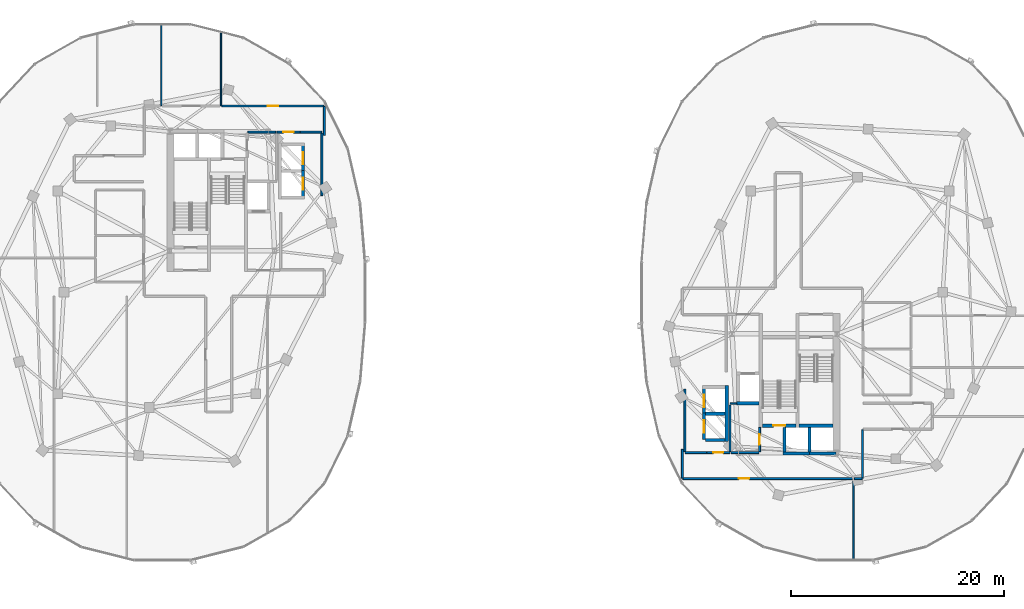
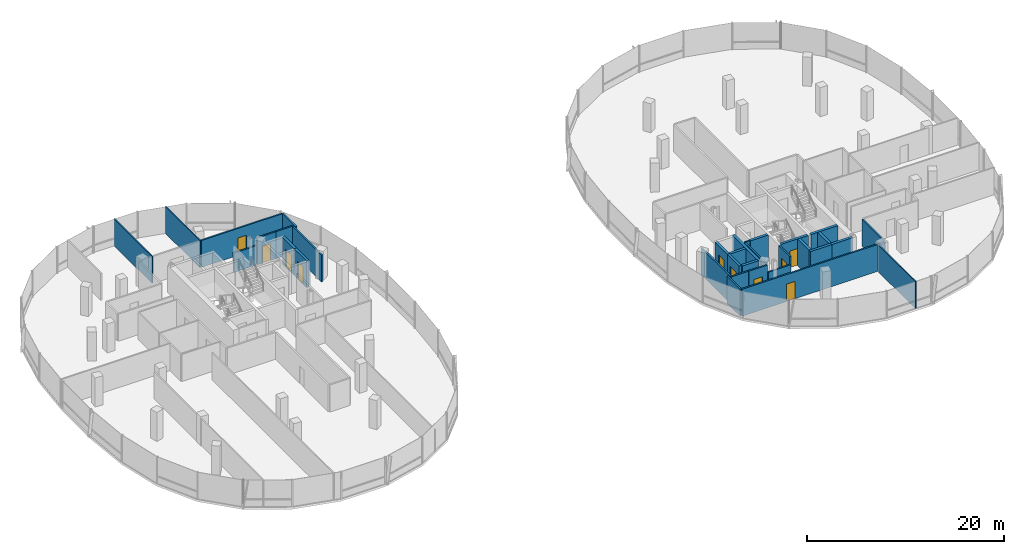
# One storey, part 16 of 25: 34 walls, 10 doors, 10 openings.
"""IFC4 building model written with IfcOpenShell, lengths in metres."""

from ifc_helpers import new_model, si_unit, direction, frame, frame_2d, origin, place, context, subcontext, project, spatial, rectangle, extrude, material, layer, layer_set, type_object, element, fill, save


model = new_model("IFC4")

# Units and contexts
model_context = context("Model", 3, precision=1e-05, world=origin(), true_north=direction((0.0, 1.0)))
body_context = subcontext(model_context, "Body", "Model", "MODEL_VIEW")
ifc_project = project(units=[si_unit("LENGTHUNIT", "METRE"), si_unit("AREAUNIT", "SQUARE_METRE"), si_unit("VOLUMEUNIT", "CUBIC_METRE"), si_unit("PLANEANGLEUNIT", "RADIAN"), si_unit("MASSUNIT", "GRAM", prefix="KILO"), si_unit("THERMODYNAMICTEMPERATUREUNIT", "KELVIN"), si_unit("POWERUNIT", "WATT")], contexts=[model_context])

# Site, building, storey
site_placement = place(None, origin())
site = spatial("IfcSite", under=ifc_project, at=site_placement, CompositionType="ELEMENT")
building_placement = place(site_placement, origin())
building = spatial("IfcBuilding", under=site, at=building_placement, Name="Cundina Bronze Exchange", CompositionType="ELEMENT")
storey_placement = place(building_placement, frame((0.0, 0.0, 195.39990234375)))
storey = spatial("IfcBuildingStorey", under=building, at=storey_placement, Name="L51", CompositionType="ELEMENT", Elevation=195.39990234375)

# Wall
ifc_material_1 = material(Name="Gypsum Fireboard Partition EI120")
ifc_layer_1 = layer(ifc_material_1, 0.179931640625, Name="Gypsum Fireboard Partition EI120")
ifc_layer_set_1 = layer_set([ifc_layer_1], Name="Gypsum Fireboard Partition EI120")
wall_type_1 = type_object("IfcWallType", Name="WL-COR-180", PredefinedType="PARTITIONING", material=ifc_layer_set_1)
wall_1_placement = place(storey_placement, frame((-17.02001953125, 9.070068359375, 0.0), z_axis=(0.0, 0.0, 1.0), x_axis=(0.0, 1.0, 0.0)))
element("IfcWall", 1, at=wall_1_placement, inside=storey, type_object=wall_type_1, Name="L51 Interior Partition 001", PredefinedType="PARTITIONING", context=body_context, shape_type="SweptSolid", body=[
    extrude(rectangle(XDim=5.85986328125, YDim=0.179931640625, at=frame_2d((2.929931640625, 0.0))), origin(), (0.0, 0.0, 1.0), 3.340087890625),
])

# Wall, opening, door
wall_2_placement = place(storey_placement, frame((-21.22998046875, 15.030029296875, 0.0), z_axis=(0.0, 0.0, 1.0), x_axis=(1.0, 0.0, 0.0)))
wall_2 = element("IfcWall", 2, at=wall_2_placement, inside=storey, type_object=wall_type_1, Name="L51 Interior Partition 002", PredefinedType="PARTITIONING", context=body_context, shape_type="SweptSolid", body=[
    extrude(rectangle(XDim=2.159912109375, YDim=0.179931640625, at=frame_2d((1.080078125, 0.0))), origin(), (0.0, 0.0, 1.0), 3.340087890625),
])
opening_1_placement = place(wall_2_placement, frame((0.60498046875, 0.0, 0.0)))
opening_1 = element("IfcOpeningElement", 3, at=opening_1_placement, cuts=wall_2, Name="Opening DW-01", PredefinedType="OPENING", context=body_context, shape_type="SweptSolid", body=[
    extrude(rectangle(XDim=0.949951171875, YDim=2.10009765625, at=frame_2d((0.47509765625, 1.050048828125))), frame((0.0, 0.099853515625, 0.0), z_axis=(0.0, -1.0, 0.0), x_axis=(1.0, 0.0, 0.0)), (0.0, 0.0, 1.0), 0.199951171875),
])
ifc_material_2 = material(Name="Solid Andean Oak Timber Grade A", Category="wood")
door_type_1 = type_object("IfcDoorType", Name="DR-WC-950", OperationType="NOTDEFINED", PredefinedType="DOOR", material=ifc_material_2)
door_1_placement = place(opening_1_placement, origin())
door_1 = element("IfcDoor", 4, at=door_1_placement, inside=storey, type_object=door_type_1, Name="L51 Interior Door 002", OperationType="SINGLE_SWING_LEFT", OverallHeight=2.10009765625, OverallWidth=0.949951171875, PredefinedType="DOOR", context=body_context, shape_type="SweptSolid", body=[
    extrude(rectangle(XDim=0.949951171875, YDim=2.10009765625, at=frame_2d((0.47509765625, 1.050048828125))), frame((0.0, 0.02490234375, 0.0), z_axis=(0.0, -1.0, 0.0), x_axis=(1.0, 0.0, 0.0)), (0.0, 0.0, 1.0), 0.050048828125),
])
fill(opening_1, door_1)

# Walls
wall_3_placement = place(storey_placement, frame((-19.030029296875, 15.030029296875, 0.0), z_axis=(0.0, 0.0, 1.0), x_axis=(1.0, 0.0, 0.0)))
element("IfcWall", 5, at=wall_3_placement, inside=storey, type_object=wall_type_1, Name="L51 Interior Partition 003", PredefinedType="PARTITIONING", context=body_context, shape_type="SweptSolid", body=[
    extrude(rectangle(XDim=1.989990234375, YDim=0.179931640625, at=frame_2d((0.9951171875, 0.0))), origin(), (0.0, 0.0, 1.0), 3.340087890625),
])
wall_4_placement = place(storey_placement, frame((-23.9599609375, 15.030029296875, 0.0), z_axis=(0.0, 0.0, 1.0), x_axis=(1.0, 0.0, 0.0)))
element("IfcWall", 6, at=wall_4_placement, inside=storey, type_object=wall_type_1, Name="L51 Interior Partition 006", PredefinedType="PARTITIONING", context=body_context, shape_type="SweptSolid", body=[
    extrude(rectangle(XDim=2.60986328125, YDim=0.179931640625, at=frame_2d((1.304931640625, 0.0))), origin(), (0.0, 0.0, 1.0), 2.4130859375),
])

# Wall, opening, door
wall_5_placement = place(storey_placement, frame((-16.821533203125, 17.469970703125, 0.0), z_axis=(0.0, 0.0, 1.0), x_axis=(-1.0, 0.0, 0.0)))
wall_5 = element("IfcWall", 7, at=wall_5_placement, inside=storey, type_object=wall_type_1, Name="L51 Interior Partition 029", PredefinedType="PARTITIONING", context=body_context, shape_type="SweptSolid", body=[
    extrude(rectangle(XDim=9.568359375, YDim=0.179931640625, at=frame_2d((4.7841796875, 0.0))), origin(), (0.0, 0.0, 1.0), 3.340087890625),
])
opening_2_placement = place(wall_5_placement, frame((4.2841796875, 0.0, 0.0)))
opening_2 = element("IfcOpeningElement", 8, at=opening_2_placement, cuts=wall_5, Name="Opening DO-01", PredefinedType="OPENING", context=body_context, shape_type="SweptSolid", body=[
    extrude(rectangle(XDim=1.0, YDim=2.14990234375, at=frame_2d((0.5, 1.074951171875))), frame((0.0, 0.099853515625, 0.0), z_axis=(0.0, -1.0, 0.0), x_axis=(1.0, 0.0, 0.0)), (0.0, 0.0, 1.0), 0.199951171875),
])
door_type_2 = type_object("IfcDoorType", Name="DR-OFF-1000", OperationType="NOTDEFINED", PredefinedType="DOOR", material=ifc_material_2)
door_2_placement = place(opening_2_placement, origin())
door_2 = element("IfcDoor", 9, at=door_2_placement, inside=storey, type_object=door_type_2, Name="L51 Interior Door 029", OperationType="SINGLE_SWING_RIGHT", OverallHeight=2.14990234375, OverallWidth=1.0, PredefinedType="DOOR", context=body_context, shape_type="SweptSolid", body=[
    extrude(rectangle(XDim=1.0, YDim=2.14990234375, at=frame_2d((0.5, 1.074951171875))), frame((0.0, 0.02490234375, 0.0), z_axis=(0.0, -1.0, 0.0), x_axis=(1.0, 0.0, 0.0)), (0.0, 0.0, 1.0), 0.050048828125),
])
fill(opening_2, door_2)

# Walls
wall_6_placement = place(storey_placement, frame((-16.780029296875, 14.721435546875, 0.0), z_axis=(0.0, 0.0, 1.0), x_axis=(0.0, 1.0, 0.0)))
element("IfcWall", 10, at=wall_6_placement, inside=storey, type_object=wall_type_1, Name="L51 Interior Partition 032", PredefinedType="PARTITIONING", context=body_context, shape_type="SweptSolid", body=[
    extrude(rectangle(XDim=2.70703125, YDim=0.179931640625, at=frame_2d((1.353515625, 0.0))), origin(), (0.0, 0.0, 1.0), 3.340087890625),
])
wall_7_placement = place(storey_placement, frame((17.02001953125, -14.929931640625, 0.0), z_axis=(0.0, 0.0, 1.0), x_axis=(0.0, 1.0, 0.0)))
element("IfcWall", 11, at=wall_7_placement, inside=storey, type_object=wall_type_1, Name="L51 Interior Partition 040", PredefinedType="PARTITIONING", context=body_context, shape_type="SweptSolid", body=[
    extrude(rectangle(XDim=5.85986328125, YDim=0.179931640625, at=frame_2d((2.929931640625, 0.0))), origin(), (0.0, 0.0, 1.0), 3.340087890625),
])
wall_8_placement = place(storey_placement, frame((17.0400390625, -15.030029296875, 0.0), z_axis=(0.0, 0.0, 1.0), x_axis=(1.0, 0.0, 0.0)))
element("IfcWall", 12, at=wall_8_placement, inside=storey, type_object=wall_type_1, Name="L51 Interior Partition 041", PredefinedType="PARTITIONING", context=body_context, shape_type="SweptSolid", body=[
    extrude(rectangle(XDim=1.989990234375, YDim=0.179931640625, at=frame_2d((0.9951171875, 0.0))), origin(), (0.0, 0.0, 1.0), 3.340087890625),
])

# Wall, opening, door
wall_9_placement = place(storey_placement, frame((21.22998046875, -15.030029296875, 0.0), z_axis=(0.0, 0.0, 1.0), x_axis=(-1.0, 0.0, 0.0)))
wall_9 = element("IfcWall", 13, at=wall_9_placement, inside=storey, type_object=wall_type_1, Name="L51 Interior Partition 042", PredefinedType="PARTITIONING", context=body_context, shape_type="SweptSolid", body=[
    extrude(rectangle(XDim=2.159912109375, YDim=0.179931640625, at=frame_2d((1.080078125, 0.0))), origin(), (0.0, 0.0, 1.0), 3.340087890625),
])
opening_3_placement = place(wall_9_placement, frame((0.60498046875, 0.0, 0.0)))
opening_3 = element("IfcOpeningElement", 14, at=opening_3_placement, cuts=wall_9, Name="Opening DW-01", PredefinedType="OPENING", context=body_context, shape_type="SweptSolid", body=[
    extrude(rectangle(XDim=0.949951171875, YDim=2.10009765625, at=frame_2d((0.47509765625, 1.050048828125))), frame((0.0, 0.099853515625, 0.0), z_axis=(0.0, -1.0, 0.0), x_axis=(1.0, 0.0, 0.0)), (0.0, 0.0, 1.0), 0.199951171875),
])
door_3_placement = place(opening_3_placement, origin())
door_3 = element("IfcDoor", 15, at=door_3_placement, inside=storey, type_object=door_type_1, Name="L51 Interior Door 042", OperationType="SINGLE_SWING_RIGHT", OverallHeight=2.10009765625, OverallWidth=0.949951171875, PredefinedType="DOOR", context=body_context, shape_type="SweptSolid", body=[
    extrude(rectangle(XDim=0.949951171875, YDim=2.10009765625, at=frame_2d((0.47509765625, 1.050048828125))), frame((0.0, 0.02490234375, 0.0), z_axis=(0.0, -1.0, 0.0), x_axis=(1.0, 0.0, 0.0)), (0.0, 0.0, 1.0), 0.050048828125),
])
fill(opening_3, door_3)

# Walls
wall_10_placement = place(storey_placement, frame((21.25, -14.929931640625, 0.0), z_axis=(0.0, 0.0, 1.0), x_axis=(0.0, 1.0, 0.0)))
element("IfcWall", 16, at=wall_10_placement, inside=storey, type_object=wall_type_1, Name="L51 Interior Partition 044", PredefinedType="PARTITIONING", context=body_context, shape_type="SweptSolid", body=[
    extrude(rectangle(XDim=4.35986328125, YDim=0.179931640625, at=frame_2d((2.179931640625, 0.0))), origin(), (0.0, 0.0, 1.0), 3.340087890625),
])
wall_11_placement = place(storey_placement, frame((21.35009765625, -15.030029296875, 0.0), z_axis=(0.0, 0.0, 1.0), x_axis=(1.0, 0.0, 0.0)))
element("IfcWall", 17, at=wall_11_placement, inside=storey, type_object=wall_type_1, Name="L51 Interior Partition 045", PredefinedType="PARTITIONING", context=body_context, shape_type="SweptSolid", body=[
    extrude(rectangle(XDim=2.60986328125, YDim=0.179931640625, at=frame_2d((1.304931640625, 0.0))), origin(), (0.0, 0.0, 1.0), 2.4130859375),
])

# Wall, opening, door
wall_12_placement = place(storey_placement, frame((24.02001953125, -14.929931640625, 0.0), z_axis=(0.0, 0.0, 1.0), x_axis=(0.0, 1.0, 0.0)))
wall_12 = element("IfcWall", 18, at=wall_12_placement, inside=storey, type_object=wall_type_1, Name="L51 Interior Partition 046", PredefinedType="PARTITIONING", context=body_context, shape_type="SweptSolid", body=[
    extrude(rectangle(XDim=2.260009765625, YDim=0.179931640625, at=frame_2d((1.1298828125, 0.0))), origin(), (0.0, 0.0, 1.0), 3.340087890625),
])
opening_4_placement = place(wall_12_placement, frame((0.655029296875, 0.0, 0.0)))
opening_4 = element("IfcOpeningElement", 19, at=opening_4_placement, cuts=wall_12, Name="Opening DW-01", PredefinedType="OPENING", context=body_context, shape_type="SweptSolid", body=[
    extrude(rectangle(XDim=0.949951171875, YDim=2.10009765625, at=frame_2d((0.47509765625, 1.050048828125))), frame((0.0, 0.099853515625, 0.0), z_axis=(0.0, -1.0, 0.0), x_axis=(1.0, 0.0, 0.0)), (0.0, 0.0, 1.0), 0.199951171875),
])
door_4_placement = place(opening_4_placement, origin())
door_4 = element("IfcDoor", 20, at=door_4_placement, inside=storey, type_object=door_type_1, Name="L51 Interior Door 046", OperationType="SINGLE_SWING_RIGHT", OverallHeight=2.10009765625, OverallWidth=0.949951171875, PredefinedType="DOOR", context=body_context, shape_type="SweptSolid", body=[
    extrude(rectangle(XDim=0.949951171875, YDim=2.10009765625, at=frame_2d((0.47509765625, 1.050048828125))), frame((0.0, 0.02490234375, 0.0), z_axis=(0.0, -1.0, 0.0), x_axis=(1.0, 0.0, 0.0)), (0.0, 0.0, 1.0), 0.050048828125),
])
fill(opening_4, door_4)

# Walls
wall_13_placement = place(storey_placement, frame((33.669921875, -17.428466796875, 0.0), z_axis=(0.0, 0.0, 1.0), x_axis=(0.0, 1.0, 0.0)))
element("IfcWall", 21, at=wall_13_placement, inside=storey, type_object=wall_type_1, Name="L51 Interior Partition 060", PredefinedType="PARTITIONING", context=body_context, shape_type="SweptSolid", body=[
    extrude(rectangle(XDim=4.528564453125, YDim=0.179931640625, at=frame_2d((2.26416015625, 0.0))), origin(), (0.0, 0.0, 1.0), 3.340087890625),
])
wall_14_placement = place(storey_placement, frame((32.909912109375, -17.469970703125, 0.0), z_axis=(0.0, 0.0, 1.0), x_axis=(1.0, 0.0, 0.0)))
element("IfcWall", 22, at=wall_14_placement, inside=storey, type_object=wall_type_1, Name="L51 Interior Partition 062", PredefinedType="PARTITIONING", context=body_context, shape_type="SweptSolid", body=[
    extrude(rectangle(XDim=0.718505859375, YDim=0.179931640625, at=frame_2d((0.359375, 0.0))), origin(), (0.0, 0.0, 1.0), 3.340087890625),
])

# Wall, opening, door
wall_15_placement = place(storey_placement, frame((16.821533203125, -17.469970703125, 0.0), z_axis=(0.0, 0.0, 1.0), x_axis=(1.0, 0.0, 0.0)))
wall_15 = element("IfcWall", 23, at=wall_15_placement, inside=storey, type_object=wall_type_1, Name="L51 Interior Partition 065", PredefinedType="PARTITIONING", context=body_context, shape_type="SweptSolid", body=[
    extrude(rectangle(XDim=15.908447265625, YDim=0.179931640625, at=frame_2d((7.9541015625, 0.0))), origin(), (0.0, 0.0, 1.0), 3.340087890625),
])
opening_5_placement = place(wall_15_placement, frame((5.25390625, 0.0, 0.0)))
opening_5 = element("IfcOpeningElement", 24, at=opening_5_placement, cuts=wall_15, Name="Opening DO-01", PredefinedType="OPENING", context=body_context, shape_type="SweptSolid", body=[
    extrude(rectangle(XDim=1.0, YDim=2.14990234375, at=frame_2d((0.5, 1.074951171875))), frame((0.0, 0.099853515625, 0.0), z_axis=(0.0, -1.0, 0.0), x_axis=(1.0, 0.0, 0.0)), (0.0, 0.0, 1.0), 0.199951171875),
])
door_5_placement = place(opening_5_placement, origin())
door_5 = element("IfcDoor", 25, at=door_5_placement, inside=storey, type_object=door_type_2, Name="L51 Interior Door 065", OperationType="SINGLE_SWING_LEFT", OverallHeight=2.14990234375, OverallWidth=1.0, PredefinedType="DOOR", context=body_context, shape_type="SweptSolid", body=[
    extrude(rectangle(XDim=1.0, YDim=2.14990234375, at=frame_2d((0.5, 1.074951171875))), frame((0.0, 0.02490234375, 0.0), z_axis=(0.0, -1.0, 0.0), x_axis=(1.0, 0.0, 0.0)), (0.0, 0.0, 1.0), 0.050048828125),
])
fill(opening_5, door_5)

# Walls
wall_16_placement = place(storey_placement, frame((16.780029296875, -14.721435546875, 0.0), z_axis=(0.0, 0.0, 1.0), x_axis=(0.0, -1.0, 0.0)))
element("IfcWall", 26, at=wall_16_placement, inside=storey, type_object=wall_type_1, Name="L51 Interior Partition 071", PredefinedType="PARTITIONING", context=body_context, shape_type="SweptSolid", body=[
    extrude(rectangle(XDim=2.70703125, YDim=0.179931640625, at=frame_2d((1.353515625, 0.0))), origin(), (0.0, 0.0, 1.0), 3.340087890625),
])
ifc_material_3 = material(Name="Gypsum Acoustic Partition EI60")
ifc_layer_2 = layer(ifc_material_3, 0.125, Name="Gypsum Acoustic Partition EI60")
ifc_layer_set_2 = layer_set([ifc_layer_2], Name="Gypsum Acoustic Partition EI60")
wall_type_2 = type_object("IfcWallType", Name="WL-OFF-125", PredefinedType="PARTITIONING", material=ifc_layer_set_2)
wall_17_placement = place(storey_placement, frame((-32.080078125, 17.5, 0.0), z_axis=(0.0, 0.0, 1.0), x_axis=(0.0, 1.0, 0.0)))
element("IfcWall", 27, at=wall_17_placement, inside=storey, type_object=wall_type_2, Name="L51 Interior Partition 021", PredefinedType="PARTITIONING", context=body_context, shape_type="SweptSolid", body=[
    extrude(rectangle(XDim=7.68994140625, YDim=0.125, at=frame_2d((3.844970703125, 0.0))), origin(), (0.0, 0.0, 1.0), 3.340087890625),
])
wall_18_placement = place(storey_placement, frame((-26.47998046875, 17.5, 0.0), z_axis=(0.0, 0.0, 1.0), x_axis=(0.0, 1.0, 0.0)))
element("IfcWall", 28, at=wall_18_placement, inside=storey, type_object=wall_type_2, Name="L51 Interior Partition 022", PredefinedType="PARTITIONING", context=body_context, shape_type="SweptSolid", body=[
    extrude(rectangle(XDim=6.961181640625, YDim=0.125, at=frame_2d((3.48046875, 0.0))), origin(), (0.0, 0.0, 1.0), 3.340087890625),
])
wall_19_placement = place(storey_placement, frame((32.820068359375, -25.18994140625, 0.0), z_axis=(0.0, 0.0, 1.0), x_axis=(0.0, 1.0, 0.0)))
element("IfcWall", 29, at=wall_19_placement, inside=storey, type_object=wall_type_2, Name="L51 Interior Partition 058", PredefinedType="PARTITIONING", context=body_context, shape_type="SweptSolid", body=[
    extrude(rectangle(XDim=7.68994140625, YDim=0.125, at=frame_2d((3.844970703125, 0.0))), origin(), (0.0, 0.0, 1.0), 3.340087890625),
])

# Wall, opening, door
ifc_material_4 = material(Name="Concrete C50/60", Category="concrete")
ifc_layer_3 = layer(ifc_material_4, 0.300048828125, Name="Concrete C50/60", Category="concrete")
ifc_layer_set_3 = layer_set([ifc_layer_3], Name="Concrete C50/60")
wall_type_3 = type_object("IfcWallType", Name="WL-SHFT-300", PredefinedType="SHEAR", material=ifc_layer_set_3)
wall_20_placement = place(storey_placement, frame((-18.800048828125, 8.929931640625, 0.0), z_axis=(0.0, 0.0, 1.0), x_axis=(0.0, 1.0, 0.0)))
wall_20 = element("IfcWall", 30, at=wall_20_placement, inside=storey, type_object=wall_type_3, Name="L51 PM-W2 Hoistway Front Wall", PredefinedType="SHEAR", context=body_context, shape_type="SweptSolid", body=[
    extrude(rectangle(XDim=2.489990234375, YDim=0.300048828125, at=frame_2d((1.2451171875, 0.0))), origin(), (0.0, 0.0, 1.0), 3.340087890625),
])
opening_6_placement = place(wall_20_placement, frame((0.669921875, 0.0, 0.0)))
opening_6 = element("IfcOpeningElement", 31, at=opening_6_placement, cuts=wall_20, Name="Opening LD-01", PredefinedType="OPENING", context=body_context, shape_type="SweptSolid", body=[
    extrude(rectangle(XDim=1.14990234375, YDim=2.199951171875, at=frame_2d((0.574951171875, 1.10009765625))), frame((0.0, 0.159912109375, 0.0), z_axis=(0.0, -1.0, 0.0), x_axis=(1.0, 0.0, 0.0)), (0.0, 0.0, 1.0), 0.320068359375),
])
ifc_material_5 = material(Name="Steel ASTM A36 Painted", Category="steel")
door_type_3 = type_object("IfcDoorType", Name="DR-LND-1150", OperationType="NOTDEFINED", PredefinedType="TRAPDOOR", material=ifc_material_5)
door_6_placement = place(opening_6_placement, origin())
door_6 = element("IfcDoor", 32, at=door_6_placement, inside=storey, type_object=door_type_3, Name="L51 PM-W2 Sliding Landing Door", OperationType="SLIDING_TO_LEFT", OverallHeight=2.199951171875, OverallWidth=1.14990234375, PredefinedType="TRAPDOOR", context=body_context, shape_type="SweptSolid", body=[
    extrude(rectangle(XDim=1.14990234375, YDim=2.199951171875, at=frame_2d((0.574951171875, 1.10009765625))), frame((0.0, 0.02490234375, 0.0), z_axis=(0.0, -1.0, 0.0), x_axis=(1.0, 0.0, 0.0)), (0.0, 0.0, 1.0), 0.050048828125),
])
fill(opening_6, door_6)

wall_21_placement = place(storey_placement, frame((-18.800048828125, 11.330078125, 0.0), z_axis=(0.0, 0.0, 1.0), x_axis=(0.0, 1.0, 0.0)))
wall_21 = element("IfcWall", 33, at=wall_21_placement, inside=storey, type_object=wall_type_3, Name="L51 PM-W1 Hoistway Front Wall", PredefinedType="SHEAR", context=body_context, shape_type="SweptSolid", body=[
    extrude(rectangle(XDim=2.489990234375, YDim=0.300048828125, at=frame_2d((1.2451171875, 0.0))), origin(), (0.0, 0.0, 1.0), 3.340087890625),
])
opening_7_placement = place(wall_21_placement, frame((0.669921875, 0.0, 0.0)))
opening_7 = element("IfcOpeningElement", 34, at=opening_7_placement, cuts=wall_21, Name="Opening LD-01", PredefinedType="OPENING", context=body_context, shape_type="SweptSolid", body=[
    extrude(rectangle(XDim=1.14990234375, YDim=2.199951171875, at=frame_2d((0.574951171875, 1.10009765625))), frame((0.0, 0.159912109375, 0.0), z_axis=(0.0, -1.0, 0.0), x_axis=(1.0, 0.0, 0.0)), (0.0, 0.0, 1.0), 0.320068359375),
])
door_7_placement = place(opening_7_placement, origin())
door_7 = element("IfcDoor", 35, at=door_7_placement, inside=storey, type_object=door_type_3, Name="L51 PM-W1 Sliding Landing Door", OperationType="SLIDING_TO_LEFT", OverallHeight=2.199951171875, OverallWidth=1.14990234375, PredefinedType="TRAPDOOR", context=body_context, shape_type="SweptSolid", body=[
    extrude(rectangle(XDim=1.14990234375, YDim=2.199951171875, at=frame_2d((0.574951171875, 1.10009765625))), frame((0.0, 0.02490234375, 0.0), z_axis=(0.0, -1.0, 0.0), x_axis=(1.0, 0.0, 0.0)), (0.0, 0.0, 1.0), 0.050048828125),
])
fill(opening_7, door_7)

# Wall
wall_22_placement = place(storey_placement, frame((27.739990234375, -12.5, 0.0), z_axis=(0.0, 0.0, 1.0), x_axis=(1.0, 0.0, 0.0)))
element("IfcWall", 36, at=wall_22_placement, inside=storey, type_object=wall_type_3, Name="L51 Stair E1 Far Shaft Wall", PredefinedType="SHEAR", context=body_context, shape_type="SweptSolid", body=[
    extrude(rectangle(XDim=3.159912109375, YDim=0.300048828125, at=frame_2d((1.580078125, 0.0))), origin(), (0.0, 0.0, 1.0), 3.340087890625),
])

# Wall, opening, door
wall_23_placement = place(storey_placement, frame((24.280029296875, -12.5, 0.0), z_axis=(0.0, 0.0, 1.0), x_axis=(1.0, 0.0, 0.0)))
wall_23 = element("IfcWall", 37, at=wall_23_placement, inside=storey, type_object=wall_type_3, Name="L51 Stair E2 Landing Wall", PredefinedType="SHEAR", context=body_context, shape_type="SweptSolid", body=[
    extrude(rectangle(XDim=3.159912109375, YDim=0.300048828125, at=frame_2d((1.580078125, 0.0))), origin(), (0.0, 0.0, 1.0), 3.340087890625),
])
opening_8_placement = place(wall_23_placement, frame((1.030029296875, 0.0, 0.0)))
opening_8 = element("IfcOpeningElement", 38, at=opening_8_placement, cuts=wall_23, Name="Opening DS-01", PredefinedType="OPENING", context=body_context, shape_type="SweptSolid", body=[
    extrude(rectangle(XDim=1.10009765625, YDim=2.14990234375, at=frame_2d((0.550048828125, 1.074951171875))), frame((0.0, 0.159912109375, 0.0), z_axis=(0.0, -1.0, 0.0), x_axis=(1.0, 0.0, 0.0)), (0.0, 0.0, 1.0), 0.320068359375),
])
door_type_4 = type_object("IfcDoorType", Name="DR-STR-1100", OperationType="NOTDEFINED", PredefinedType="DOOR", material=ifc_material_5)
door_8_placement = place(opening_8_placement, origin())
door_8 = element("IfcDoor", 39, at=door_8_placement, inside=storey, type_object=door_type_4, Name="L51 Smokeproof Stair E2 Door", OperationType="SINGLE_SWING_RIGHT", OverallHeight=2.14990234375, OverallWidth=1.10009765625, PredefinedType="DOOR", context=body_context, shape_type="SweptSolid", body=[
    extrude(rectangle(XDim=1.10009765625, YDim=2.14990234375, at=frame_2d((0.550048828125, 1.074951171875))), frame((0.0, 0.02490234375, 0.0), z_axis=(0.0, -1.0, 0.0), x_axis=(1.0, 0.0, 0.0)), (0.0, 0.0, 1.0), 0.050048828125),
])
fill(opening_8, door_8)

# Walls
wall_24_placement = place(storey_placement, frame((21.8798828125, -10.39990234375, 0.0), z_axis=(0.0, 0.0, 1.0), x_axis=(1.0, 0.0, 0.0)))
element("IfcWall", 40, at=wall_24_placement, inside=storey, type_object=wall_type_3, Name="L51 FFL-E Hoistway Back Wall", PredefinedType="SHEAR", context=body_context, shape_type="SweptSolid", body=[
    extrude(rectangle(XDim=2.10009765625, YDim=0.300048828125, at=frame_2d((1.050048828125, 0.0))), origin(), (0.0, 0.0, 1.0), 3.340087890625),
])
wall_25_placement = place(storey_placement, frame((28.699951171875, -15.10009765625, 0.0), z_axis=(0.0, 0.0, 1.0), x_axis=(1.0, 0.0, 0.0)))
element("IfcWall", 41, at=wall_25_placement, inside=storey, type_object=wall_type_3, Name="L51 PH-E1 Hoistway Front Wall", PredefinedType="SHEAR", context=body_context, shape_type="SweptSolid", body=[
    extrude(rectangle(XDim=2.5, YDim=0.300048828125, at=frame_2d((1.25, 0.0))), origin(), (0.0, 0.0, 1.0), 3.340087890625),
])
wall_26_placement = place(storey_placement, frame((28.699951171875, -14.949951171875, 0.0), z_axis=(0.0, 0.0, 1.0), x_axis=(0.0, 1.0, 0.0)))
element("IfcWall", 42, at=wall_26_placement, inside=storey, type_object=wall_type_3, Name="L51 PH-E1 Hoistway Divider Wall", PredefinedType="SHEAR", context=body_context, shape_type="SweptSolid", body=[
    extrude(rectangle(XDim=2.300048828125, YDim=0.300048828125, at=frame_2d((1.14990234375, 0.0))), origin(), (0.0, 0.0, 1.0), 3.340087890625),
])
wall_27_placement = place(storey_placement, frame((26.199951171875, -15.10009765625, 0.0), z_axis=(0.0, 0.0, 1.0), x_axis=(1.0, 0.0, 0.0)))
element("IfcWall", 43, at=wall_27_placement, inside=storey, type_object=wall_type_3, Name="L51 PH-E2 Hoistway Front Wall", PredefinedType="SHEAR", context=body_context, shape_type="SweptSolid", body=[
    extrude(rectangle(XDim=2.5, YDim=0.300048828125, at=frame_2d((1.25, 0.0))), origin(), (0.0, 0.0, 1.0), 3.340087890625),
])
wall_28_placement = place(storey_placement, frame((26.35009765625, -14.949951171875, 0.0), z_axis=(0.0, 0.0, 1.0), x_axis=(0.0, 1.0, 0.0)))
element("IfcWall", 44, at=wall_28_placement, inside=storey, type_object=wall_type_3, Name="L51 PH-E2 Hoistway Divider Wall", PredefinedType="SHEAR", context=body_context, shape_type="SweptSolid", body=[
    extrude(rectangle(XDim=2.300048828125, YDim=0.300048828125, at=frame_2d((1.14990234375, 0.0))), origin(), (0.0, 0.0, 1.0), 3.340087890625),
])
wall_29_placement = place(storey_placement, frame((20.949951171875, -14.0, 0.0), z_axis=(0.0, 0.0, 1.0), x_axis=(0.0, 1.0, 0.0)))
element("IfcWall", 45, at=wall_29_placement, inside=storey, type_object=wall_type_3, Name="L51 E Passenger Bank Hoistway Back Wall", PredefinedType="SHEAR", context=body_context, shape_type="SweptSolid", body=[
    extrude(rectangle(XDim=5.25, YDim=0.300048828125, at=frame_2d((2.625, 0.0))), origin(), (0.0, 0.0, 1.0), 3.340087890625),
])
for number, where, z_axis, x_axis, name in (
    (46, (18.949951171875, -13.85009765625, 0.0), (0.0, 0.0, 1.0), (1.0, 0.0, 0.0), "L51 E Passenger Bank South Cap Wall"),
    (47, (18.949951171875, -11.375, 0.0), (0.0, 0.0, 1.0), (1.0, 0.0, 0.0), "L51 E Passenger Hoistway Divider 1"),
):
    element("IfcWall", number, at=place(storey_placement, frame(where, z_axis=z_axis, x_axis=x_axis)), inside=storey, type_object=wall_type_3, Name=name, PredefinedType="SHEAR", context=body_context, shape_type="SweptSolid", body=[
        extrude(rectangle(XDim=1.85009765625, YDim=0.300048828125, at=frame_2d((0.925048828125, 0.0))), origin(), (0.0, 0.0, 1.0), 3.340087890625),
    ])

# Wall, opening, door
wall_30_placement = place(storey_placement, frame((18.800048828125, -13.820068359375, 0.0), z_axis=(0.0, 0.0, 1.0), x_axis=(0.0, 1.0, 0.0)))
wall_30 = element("IfcWall", 48, at=wall_30_placement, inside=storey, type_object=wall_type_3, Name="L51 PM-E1 Hoistway Front Wall", PredefinedType="SHEAR", context=body_context, shape_type="SweptSolid", body=[
    extrude(rectangle(XDim=2.489990234375, YDim=0.300048828125, at=frame_2d((1.2451171875, 0.0))), origin(), (0.0, 0.0, 1.0), 3.340087890625),
])
opening_9_placement = place(wall_30_placement, frame((0.669921875, 0.0, 0.0)))
opening_9 = element("IfcOpeningElement", 49, at=opening_9_placement, cuts=wall_30, Name="Opening LD-01", PredefinedType="OPENING", context=body_context, shape_type="SweptSolid", body=[
    extrude(rectangle(XDim=1.14990234375, YDim=2.199951171875, at=frame_2d((0.574951171875, 1.10009765625))), frame((0.0, 0.159912109375, 0.0), z_axis=(0.0, -1.0, 0.0), x_axis=(1.0, 0.0, 0.0)), (0.0, 0.0, 1.0), 0.320068359375),
])
door_9_placement = place(opening_9_placement, origin())
door_9 = element("IfcDoor", 50, at=door_9_placement, inside=storey, type_object=door_type_3, Name="L51 PM-E1 Sliding Landing Door", OperationType="SLIDING_TO_LEFT", OverallHeight=2.199951171875, OverallWidth=1.14990234375, PredefinedType="TRAPDOOR", context=body_context, shape_type="SweptSolid", body=[
    extrude(rectangle(XDim=1.14990234375, YDim=2.199951171875, at=frame_2d((0.574951171875, 1.10009765625))), frame((0.0, 0.02490234375, 0.0), z_axis=(0.0, -1.0, 0.0), x_axis=(1.0, 0.0, 0.0)), (0.0, 0.0, 1.0), 0.050048828125),
])
fill(opening_9, door_9)

wall_31_placement = place(storey_placement, frame((18.800048828125, -11.419921875, 0.0), z_axis=(0.0, 0.0, 1.0), x_axis=(0.0, 1.0, 0.0)))
wall_31 = element("IfcWall", 51, at=wall_31_placement, inside=storey, type_object=wall_type_3, Name="L51 PM-E2 Hoistway Front Wall", PredefinedType="SHEAR", context=body_context, shape_type="SweptSolid", body=[
    extrude(rectangle(XDim=2.489990234375, YDim=0.300048828125, at=frame_2d((1.2451171875, 0.0))), origin(), (0.0, 0.0, 1.0), 3.340087890625),
])
opening_10_placement = place(wall_31_placement, frame((0.669921875, 0.0, 0.0)))
opening_10 = element("IfcOpeningElement", 52, at=opening_10_placement, cuts=wall_31, Name="Opening LD-01", PredefinedType="OPENING", context=body_context, shape_type="SweptSolid", body=[
    extrude(rectangle(XDim=1.14990234375, YDim=2.199951171875, at=frame_2d((0.574951171875, 1.10009765625))), frame((0.0, 0.159912109375, 0.0), z_axis=(0.0, -1.0, 0.0), x_axis=(1.0, 0.0, 0.0)), (0.0, 0.0, 1.0), 0.320068359375),
])
door_10_placement = place(opening_10_placement, origin())
door_10 = element("IfcDoor", 53, at=door_10_placement, inside=storey, type_object=door_type_3, Name="L51 PM-E2 Sliding Landing Door", OperationType="SLIDING_TO_LEFT", OverallHeight=2.199951171875, OverallWidth=1.14990234375, PredefinedType="TRAPDOOR", context=body_context, shape_type="SweptSolid", body=[
    extrude(rectangle(XDim=1.14990234375, YDim=2.199951171875, at=frame_2d((0.574951171875, 1.10009765625))), frame((0.0, 0.02490234375, 0.0), z_axis=(0.0, -1.0, 0.0), x_axis=(1.0, 0.0, 0.0)), (0.0, 0.0, 1.0), 0.050048828125),
])
fill(opening_10, door_10)

# Wall
ifc_material_6 = material(Name="Moisture-Resistant Masonry Block Grade M15", Category="masonry")
ifc_layer_4 = layer(ifc_material_6, 0.139892578125, Name="Moisture-Resistant Masonry Block Grade M15", Category="masonry")
ifc_layer_set_4 = layer_set([ifc_layer_4], Name="Moisture-Resistant Masonry Block Grade M15")
wall_type_4 = type_object("IfcWallType", Name="WL-WET-140", PredefinedType="PARTITIONING", material=ifc_layer_set_4)
wall_32_placement = place(storey_placement, frame((21.27001953125, -10.39990234375, 0.0), z_axis=(0.0, 0.0, 1.0), x_axis=(1.0, 0.0, 0.0)))
element("IfcWall", 54, at=wall_32_placement, inside=storey, type_object=wall_type_4, Name="L51 Interior Partition 043", PredefinedType="PARTITIONING", context=body_context, shape_type="SweptSolid", body=[
    extrude(rectangle(XDim=0.590087890625, YDim=0.139892578125, at=frame_2d((0.294921875, 0.0))), origin(), (0.0, 0.0, 1.0), 3.340087890625),
])

save(model, "model.ifc")
